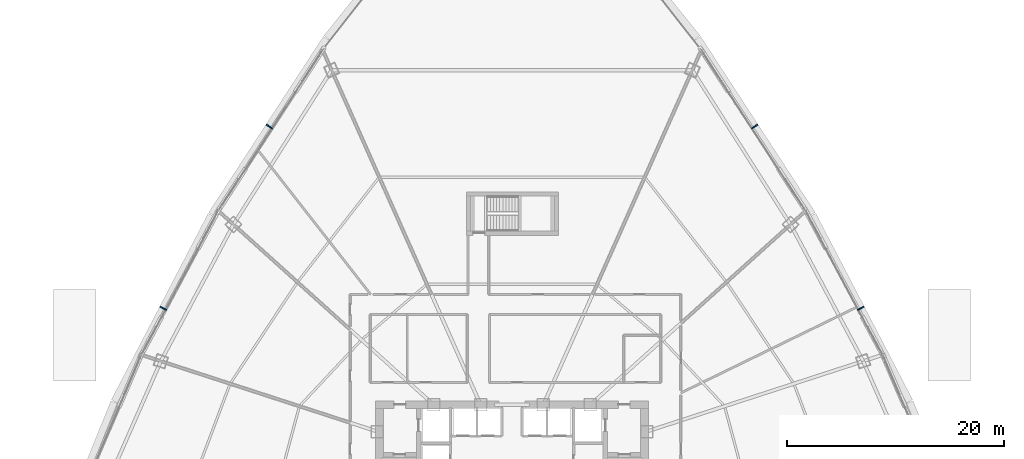
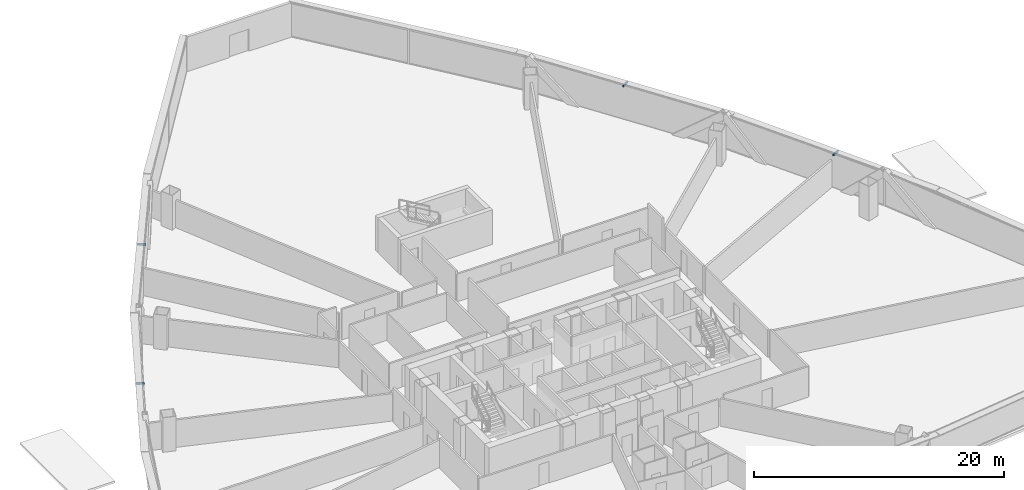
# One storey, part 34 of 38: 4 discrete accessories.
"""IFC4 building model written with IfcOpenShell, lengths in metres."""

from ifc_helpers import new_model, si_unit, direction, frame, origin, origin_2d, place, context, subcontext, project, spatial, rectangle, extrude, source, transform, mapped, material, type_object, element, save


model = new_model("IFC4")

# Units and contexts
model_context = context("Model", 3, precision=1e-05, world=origin(), true_north=direction((0.0, 1.0)))
body_context = subcontext(model_context, "Body", "Model", "MODEL_VIEW")
ifc_project = project(units=[si_unit("LENGTHUNIT", "METRE"), si_unit("AREAUNIT", "SQUARE_METRE"), si_unit("VOLUMEUNIT", "CUBIC_METRE"), si_unit("PLANEANGLEUNIT", "RADIAN"), si_unit("MASSUNIT", "GRAM", prefix="KILO"), si_unit("THERMODYNAMICTEMPERATUREUNIT", "KELVIN"), si_unit("POWERUNIT", "WATT")], contexts=[model_context])

# Site, building, storey
site_placement = place(None, origin())
site = spatial("IfcSite", under=ifc_project, at=site_placement, CompositionType="ELEMENT")
building_placement = place(site_placement, origin())
building = spatial("IfcBuilding", under=site, at=building_placement, Name="Yunzhuo Pagoda Commons", CompositionType="ELEMENT")
storey_placement = place(building_placement, frame((0.0, 0.0, 30.39990234375)))
storey = spatial("IfcBuildingStorey", under=building, at=storey_placement, Name="L07", CompositionType="ELEMENT", Elevation=30.39990234375)

# Discrete accessories
ifc_material = material(Name="Anodized aluminium 6063-T6", Category="aluminium")
discrete_accessory_type = type_object("IfcDiscreteAccessoryType", Name="BK-SUN1 Sunshade Outrigger Bracket", PredefinedType="BRACKET", material=ifc_material)
shared_shape = source(origin(), body_context, "Body", "SweptSolid", [
    extrude(rectangle(XDim=0.1201171875, YDim=0.679931640625, at=origin_2d()), origin(), (0.0, 0.0, 1.0), 0.179931640625),
])
for number, where, z_axis, x_axis, name in (
    (1, (80.11572265625, 49.073974609375, 3.16015625), (0.0, 0.0, 1.0), (-0.461206683033, 0.88729273384, 0.0), "L07 sunshade outrigger bracket F2.2"),
    (2, (70.344482421875, 65.81298828125, 3.16015625), (0.0, 0.0, 1.0), (-0.545838756973, 0.837890238269, 0.0), "L07 sunshade outrigger bracket F2.3"),
    (3, (25.655517578125, 65.81298828125, 3.16015625), (0.0, 0.0, 1.0), (-0.545838756973, -0.837890238269, 0.0), "L07 sunshade outrigger bracket F3.2"),
    (4, (15.88427734375, 49.073974609375, 3.16015625), (0.0, 0.0, 1.0), (-0.461206683033, -0.88729273384, 0.0), "L07 sunshade outrigger bracket F3.3"),
):
    element("IfcDiscreteAccessory", number, at=place(storey_placement, frame(where, z_axis=z_axis, x_axis=x_axis)), inside=storey, type_object=discrete_accessory_type, Name=name, PredefinedType="BRACKET", context=body_context, shape_type="MappedRepresentation", body=[
        mapped(shared_shape, transform((0.0, 0.0, 0.0), scale=1.0)),
    ])

save(model, "model.ifc")
